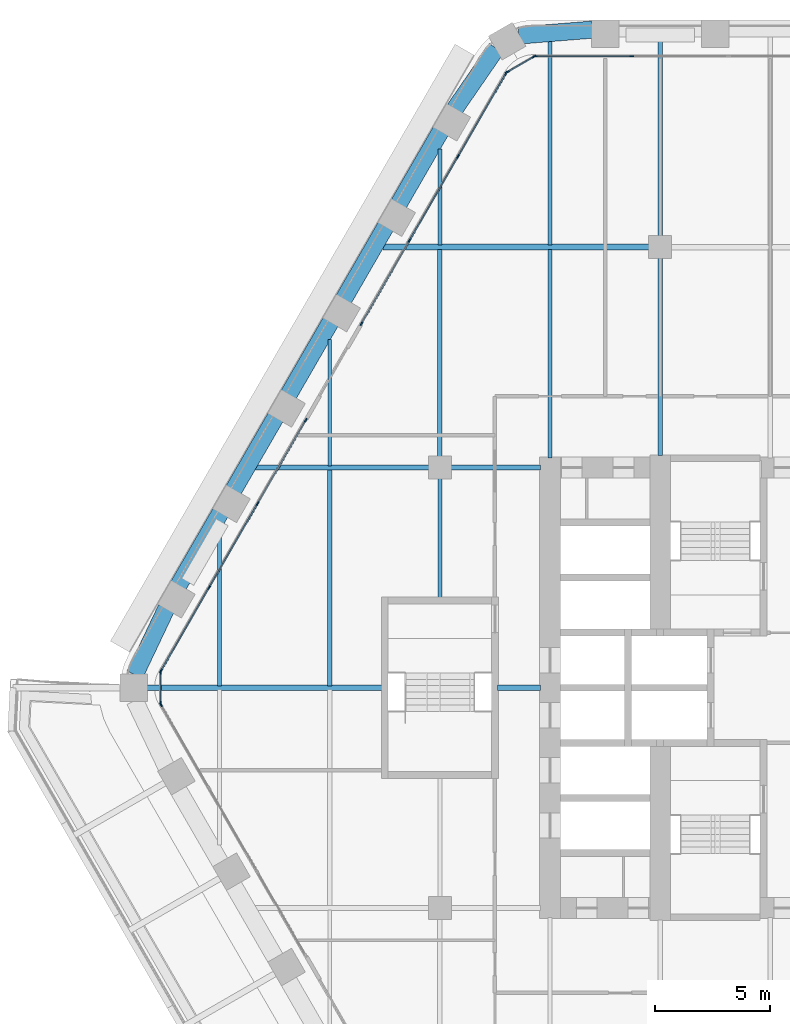
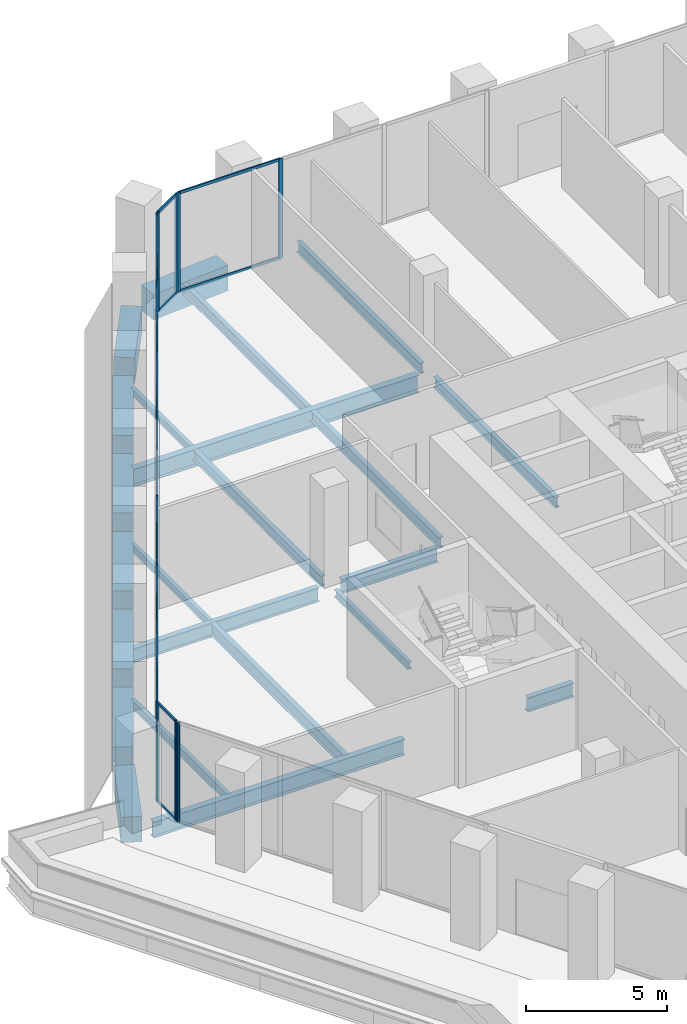
# One storey, part 7 of 27: 33 members, 23 beams, 6 elements without a shape of their own.
"""IFC4 building model written with IfcOpenShell, lengths in metres."""

from ifc_helpers import new_model, si_unit, direction, frame, origin, origin_2d, place, context, subcontext, project, spatial, rectangle, i_section, extrude, material, material_profile, profile_set, type_object, element, aggregate, save


model = new_model("IFC4")

# Units and contexts
model_context = context("Model", 3, precision=1e-05, world=origin(), true_north=direction((0.0, 1.0)))
body_context = subcontext(model_context, "Body", "Model", "MODEL_VIEW")
ifc_project = project(units=[si_unit("LENGTHUNIT", "METRE"), si_unit("AREAUNIT", "SQUARE_METRE"), si_unit("VOLUMEUNIT", "CUBIC_METRE"), si_unit("PLANEANGLEUNIT", "RADIAN"), si_unit("MASSUNIT", "GRAM", prefix="KILO")], contexts=[model_context])

# Site, building, storey
site_placement = place(None, origin())
site = spatial("IfcSite", under=ifc_project, at=site_placement, CompositionType="ELEMENT")
building_placement = place(site_placement, origin())
building = spatial("IfcBuilding", under=site, at=building_placement, Name="Kolab Exchange Tower", CompositionType="ELEMENT")
storey_placement = place(building_placement, frame((0.0, 0.0, 109.39990234375)))
storey = spatial("IfcBuildingStorey", under=building, at=storey_placement, Name="L21", CompositionType="ELEMENT", Elevation=109.39990234375)

# Beams
ifc_material_1 = material(Name="Steel S355", Category="steel")
ifc_material_profile_1 = material_profile(ifc_material_1, i_section(OverallWidth=0.1650390625, OverallDepth=0.31005859375, WebThickness=0.005859375, FlangeThickness=0.009765625, at=origin_2d()), Name="W310X39")
ifc_profile_set_1 = profile_set([ifc_material_profile_1], Name="Steel S355")
beam_type_1 = type_object("IfcBeamType", Name="FLOOR BEAM W310X39", PredefinedType="BEAM", material=ifc_profile_set_1)
beam_1_placement = place(storey_placement, frame((-24.0, 9.674072265625, -0.35498046875), z_axis=(0.0, 1.0, 0.0), x_axis=(-1.0, 0.0, 0.0)))
element("IfcBeam", 1, at=beam_1_placement, inside=storey, type_object=beam_type_1, Name="beam/L21/fr/005", PredefinedType="BEAM", context=body_context, shape_type="SweptSolid", body=[
    extrude(i_section(OverallWidth=0.1650390625, OverallDepth=0.31005859375, WebThickness=0.005859375, FlangeThickness=0.009765625, at=origin_2d()), origin(), (0.0, 0.0, 1.0), 5.49365234375),
])
beam_2_placement = place(storey_placement, frame((-19.199951171875, 3.909912109375, -0.35498046875), z_axis=(0.0, 1.0, 0.0), x_axis=(-1.0, 0.0, 0.0)))
element("IfcBeam", 2, at=beam_2_placement, inside=storey, type_object=beam_type_1, Name="beam/L21/fr/009", PredefinedType="BEAM", context=body_context, shape_type="SweptSolid", body=[
    extrude(i_section(OverallWidth=0.1650390625, OverallDepth=0.31005859375, WebThickness=0.005859375, FlangeThickness=0.009765625, at=origin_2d()), origin(), (0.0, 0.0, 1.0), 5.22998046875),
])
beam_3_placement = place(storey_placement, frame((-19.199951171875, 19.29345703125, -0.35498046875), z_axis=(0.0, 1.0, 0.0), x_axis=(-1.0, 0.0, 0.0)))
element("IfcBeam", 3, at=beam_3_placement, inside=storey, type_object=beam_type_1, Name="beam/L21/fr/011", PredefinedType="BEAM", context=body_context, shape_type="SweptSolid", body=[
    extrude(i_section(OverallWidth=0.1650390625, OverallDepth=0.31005859375, WebThickness=0.005859375, FlangeThickness=0.009765625, at=origin_2d()), origin(), (0.0, 0.0, 1.0), 4.18798828125),
])
ifc_material_profile_2 = material_profile(ifc_material_1, i_section(OverallWidth=0.1708984375, OverallDepth=0.35498046875, WebThickness=0.007080078125, FlangeThickness=0.01171875, at=origin_2d()), Name="W360X51")
ifc_profile_set_2 = profile_set([ifc_material_profile_2], Name="Steel S355")
beam_type_2 = type_object("IfcBeamType", Name="FLOOR BEAM W360X51", PredefinedType="BEAM", material=ifc_profile_set_2)
beam_4_placement = place(storey_placement, frame((-28.800048828125, 0.0869140625, -0.37744140625), z_axis=(0.0, 1.0, 0.0), x_axis=(-1.0, 0.0, 0.0)))
element("IfcBeam", 4, at=beam_4_placement, inside=storey, type_object=beam_type_2, Name="beam/L21/fr/001", PredefinedType="BEAM", context=body_context, shape_type="SweptSolid", body=[
    extrude(i_section(OverallWidth=0.1708984375, OverallDepth=0.35498046875, WebThickness=0.007080078125, FlangeThickness=0.01171875, at=origin_2d()), origin(), (0.0, 0.0, 1.0), 6.766845703125),
])
ifc_material_profile_3 = material_profile(ifc_material_1, i_section(OverallWidth=0.18994140625, OverallDepth=0.45703125, WebThickness=0.009033203125, FlangeThickness=0.014404296875, at=origin_2d()), Name="W460X74")
ifc_profile_set_3 = profile_set([ifc_material_profile_3], Name="Steel S355")
beam_type_3 = type_object("IfcBeamType", Name="FLOOR BEAM W460X74", PredefinedType="BEAM", material=ifc_profile_set_3)
beam_5_placement = place(storey_placement, frame((-19.199951171875, 10.06005859375, -0.428466796875), z_axis=(0.0, 1.0, 0.0), x_axis=(-1.0, 0.0, 0.0)))
element("IfcBeam", 5, at=beam_5_placement, inside=storey, type_object=beam_type_3, Name="beam/L21/fr/010", PredefinedType="BEAM", context=body_context, shape_type="SweptSolid", body=[
    extrude(i_section(OverallWidth=0.18994140625, OverallDepth=0.45703125, WebThickness=0.009033203125, FlangeThickness=0.014404296875, at=origin_2d()), origin(), (0.0, 0.0, 1.0), 9.04638671875),
])
beam_6_placement = place(storey_placement, frame((-14.39990234375, 10.010009765625, -0.428466796875), z_axis=(0.0, 1.0, 0.0), x_axis=(-1.0, 0.0, 0.0)))
element("IfcBeam", 6, at=beam_6_placement, inside=storey, type_object=beam_type_3, Name="beam/L21/fr/014", PredefinedType="BEAM", context=body_context, shape_type="SweptSolid", body=[
    extrude(i_section(OverallWidth=0.18994140625, OverallDepth=0.45703125, WebThickness=0.009033203125, FlangeThickness=0.014404296875, at=origin_2d()), origin(), (0.0, 0.0, 1.0), 9.096435546875),
])
beam_7_placement = place(storey_placement, frame((-14.39990234375, 19.29345703125, -0.428466796875), z_axis=(0.0, 1.0, 0.0), x_axis=(-1.0, 0.0, 0.0)))
element("IfcBeam", 7, at=beam_7_placement, inside=storey, type_object=beam_type_3, Name="beam/L21/fr/015", PredefinedType="BEAM", context=body_context, shape_type="SweptSolid", body=[
    extrude(i_section(OverallWidth=0.18994140625, OverallDepth=0.45703125, WebThickness=0.009033203125, FlangeThickness=0.014404296875, at=origin_2d()), origin(), (0.0, 0.0, 1.0), 8.901123046875),
])
beam_8_placement = place(storey_placement, frame((-9.60009765625, 10.110107421875, -0.428466796875), z_axis=(0.0, 1.0, 0.0), x_axis=(-1.0, 0.0, 0.0)))
element("IfcBeam", 8, at=beam_8_placement, inside=storey, type_object=beam_type_3, Name="beam/L21/fr/018", PredefinedType="BEAM", context=body_context, shape_type="SweptSolid", body=[
    extrude(i_section(OverallWidth=0.18994140625, OverallDepth=0.45703125, WebThickness=0.009033203125, FlangeThickness=0.014404296875, at=origin_2d()), origin(), (0.0, 0.0, 1.0), 8.6298828125),
])
beam_9_placement = place(storey_placement, frame((-9.60009765625, 19.659912109375, -0.428466796875), z_axis=(0.0, 1.0, 0.0), x_axis=(-1.0, 0.0, 0.0)))
element("IfcBeam", 9, at=beam_9_placement, inside=storey, type_object=beam_type_3, Name="beam/L21/fr/019", PredefinedType="BEAM", context=body_context, shape_type="SweptSolid", body=[
    extrude(i_section(OverallWidth=0.18994140625, OverallDepth=0.45703125, WebThickness=0.009033203125, FlangeThickness=0.014404296875, at=origin_2d()), origin(), (0.0, 0.0, 1.0), 8.728515625),
])
ifc_material_profile_4 = material_profile(ifc_material_1, i_section(OverallWidth=0.208984375, OverallDepth=0.532958984375, WebThickness=0.01025390625, FlangeThickness=0.015625, at=origin_2d()), Name="W530X92")
ifc_profile_set_4 = profile_set([ifc_material_profile_4], Name="Steel S355")
beam_type_4 = type_object("IfcBeamType", Name="FLOOR BEAM W530X92", PredefinedType="BEAM", material=ifc_profile_set_4)
beam_10_placement = place(storey_placement, frame((-24.0, 0.0869140625, -0.46630859375), z_axis=(0.0, 1.0, 0.0), x_axis=(-1.0, 0.0, 0.0)))
element("IfcBeam", 10, at=beam_10_placement, inside=storey, type_object=beam_type_4, Name="beam/L21/fr/004", PredefinedType="BEAM", context=body_context, shape_type="SweptSolid", body=[
    extrude(i_section(OverallWidth=0.208984375, OverallDepth=0.532958984375, WebThickness=0.01025390625, FlangeThickness=0.015625, at=origin_2d()), origin(), (0.0, 0.0, 1.0), 9.43896484375),
])
ifc_material_profile_5 = material_profile(ifc_material_1, i_section(OverallWidth=0.22802734375, OverallDepth=0.60791015625, WebThickness=0.01123046875, FlangeThickness=0.017333984375, at=origin_2d()), Name="W610X113")
ifc_profile_set_5 = profile_set([ifc_material_profile_5], Name="Steel S355")
beam_type_5 = type_object("IfcBeamType", Name="FLOOR GIRDER W610X113", PredefinedType="BEAM", material=ifc_profile_set_5)
beam_11_placement = place(storey_placement, frame((-27.2314453125, 9.60009765625, -0.50390625), z_axis=(1.0, 0.0, 0.0), x_axis=(0.0, 1.0, 0.0)))
element("IfcBeam", 11, at=beam_11_placement, inside=storey, type_object=beam_type_5, Name="beam/L21/gd/002", PredefinedType="BEAM", context=body_context, shape_type="SweptSolid", body=[
    extrude(i_section(OverallWidth=0.22802734375, OverallDepth=0.60791015625, WebThickness=0.01123046875, FlangeThickness=0.017333984375, at=origin_2d()), origin(), (0.0, 0.0, 1.0), 7.571533203125),
])
beam_12_placement = place(storey_placement, frame((-18.739990234375, 9.60009765625, -0.50390625), z_axis=(1.0, 0.0, 0.0), x_axis=(0.0, 1.0, 0.0)))
element("IfcBeam", 12, at=beam_12_placement, inside=storey, type_object=beam_type_5, Name="beam/L21/gd/006", PredefinedType="BEAM", context=body_context, shape_type="SweptSolid", body=[
    extrude(i_section(OverallWidth=0.22802734375, OverallDepth=0.60791015625, WebThickness=0.01123046875, FlangeThickness=0.017333984375, at=origin_2d()), origin(), (0.0, 0.0, 1.0), 3.929931640625),
])
beam_13_placement = place(storey_placement, frame((-16.68994140625, 0.0, -0.50390625), z_axis=(1.0, 0.0, 0.0), x_axis=(0.0, 1.0, 0.0)))
element("IfcBeam", 13, at=beam_13_placement, inside=storey, type_object=beam_type_5, Name="beam/L21/gd/007", PredefinedType="BEAM", context=body_context, shape_type="SweptSolid", body=[
    extrude(i_section(OverallWidth=0.22802734375, OverallDepth=0.60791015625, WebThickness=0.01123046875, FlangeThickness=0.017333984375, at=origin_2d()), origin(), (0.0, 0.0, 1.0), 1.8798828125),
])
ifc_material_profile_6 = material_profile(ifc_material_1, i_section(OverallWidth=0.25390625, OverallDepth=0.68408203125, WebThickness=0.012451171875, FlangeThickness=0.018798828125, at=origin_2d()), Name="W690X140")
ifc_profile_set_6 = profile_set([ifc_material_profile_6], Name="Steel S355")
beam_type_6 = type_object("IfcBeamType", Name="FLOOR GIRDER W690X140", PredefinedType="BEAM", material=ifc_profile_set_6)
beam_14_placement = place(storey_placement, frame((-31.975830078125, 0.0, -0.5419921875), z_axis=(1.0, 0.0, 0.0), x_axis=(0.0, 1.0, 0.0)))
element("IfcBeam", 14, at=beam_14_placement, inside=storey, type_object=beam_type_6, Name="beam/L21/gd/000", PredefinedType="BEAM", context=body_context, shape_type="SweptSolid", body=[
    extrude(i_section(OverallWidth=0.25390625, OverallDepth=0.68408203125, WebThickness=0.012451171875, FlangeThickness=0.018798828125, at=origin_2d()), origin(), (0.0, 0.0, 1.0), 10.265869140625),
])
ifc_material_profile_7 = material_profile(ifc_material_1, i_section(OverallWidth=0.26708984375, OverallDepth=0.761962890625, WebThickness=0.014404296875, FlangeThickness=0.021484375, at=origin_2d()), Name="W760X173")
ifc_profile_set_7 = profile_set([ifc_material_profile_7], Name="Steel S355")
beam_type_7 = type_object("IfcBeamType", Name="FLOOR GIRDER W760X173", PredefinedType="BEAM", material=ifc_profile_set_7)
beam_15_placement = place(storey_placement, frame((-21.688720703125, 19.199951171875, -0.580810546875), z_axis=(1.0, 0.0, 0.0), x_axis=(0.0, 1.0, 0.0)))
element("IfcBeam", 15, at=beam_15_placement, inside=storey, type_object=beam_type_7, Name="beam/L21/gd/004", PredefinedType="BEAM", context=body_context, shape_type="SweptSolid", body=[
    extrude(i_section(OverallWidth=0.26708984375, OverallDepth=0.761962890625, WebThickness=0.014404296875, FlangeThickness=0.021484375, at=origin_2d()), origin(), (0.0, 0.0, 1.0), 11.628662109375),
])
ifc_material_2 = material(Name="Concrete C70/85", Category="concrete")
ifc_material_profile_8 = material_profile(ifc_material_2, rectangle(XDim=0.75, YDim=1.10009765625, at=origin_2d()), Name="RC750X1100")
ifc_profile_set_8 = profile_set([ifc_material_profile_8], Name="Concrete C70/85")
beam_type_8 = type_object("IfcBeamType", Name="SPANDREL BEAM 750X1100 C70/85", PredefinedType="BEAM", material=ifc_profile_set_8)
beam_16_placement = place(storey_placement, frame((-15.75830078125, 28.421630859375, -0.75), z_axis=(0.996791038408, 0.080047646748, 0.0), x_axis=(-0.080047646748, 0.996791038408, 0.0)))
element("IfcBeam", 16, at=beam_16_placement, inside=storey, type_object=beam_type_8, Name="beam/L21/sp/F1-01", PredefinedType="BEAM", context=body_context, shape_type="SweptSolid", body=[
    extrude(rectangle(XDim=0.75, YDim=1.10009765625, at=origin_2d()), origin(), (0.0, 0.0, 1.0), 3.20849609375),
])
beam_17_placement = place(storey_placement, frame((-32.492919921875, 0.56396484375, -0.75), z_axis=(0.429041292193, 0.903284877319, 0.0), x_axis=(-0.903284877319, 0.429041292193, 0.0)))
element("IfcBeam", 17, at=beam_17_placement, inside=storey, type_object=beam_type_8, Name="beam/L21/sp/F6-01", PredefinedType="BEAM", context=body_context, shape_type="SweptSolid", body=[
    extrude(rectangle(XDim=0.75, YDim=1.10009765625, at=origin_2d()), origin(), (0.0, 0.0, 1.0), 3.208251953125),
])
for number, where, z_axis, x_axis, name in (
    (18, (-30.59521484375, 4.454345703125, -0.75), (0.500013413428, 0.866017659399, 0.0), (-0.866017659399, 0.500013413428, 0.0), "beam/L21/sp/F6-02"),
    (19, (-28.1953125, 8.611328125, -0.75), (0.500013413428, 0.866017659399, 0.0), (-0.866017659399, 0.500013413428, 0.0), "beam/L21/sp/F6-03"),
):
    element("IfcBeam", number, at=place(storey_placement, frame(where, z_axis=z_axis, x_axis=x_axis)), inside=storey, type_object=beam_type_8, Name=name, PredefinedType="BEAM", context=body_context, shape_type="SweptSolid", body=[
        extrude(rectangle(XDim=0.75, YDim=1.10009765625, at=origin_2d()), origin(), (0.0, 0.0, 1.0), 3.68017578125),
    ])
beam_18_placement = place(storey_placement, frame((-25.795166015625, 12.768310546875, -0.75), z_axis=(0.499963655964, 0.866046386007, 0.0), x_axis=(-0.866046386007, 0.499963655964, 0.0)))
element("IfcBeam", 20, at=beam_18_placement, inside=storey, type_object=beam_type_8, Name="beam/L21/sp/F6-04", PredefinedType="BEAM", context=body_context, shape_type="SweptSolid", body=[
    extrude(rectangle(XDim=0.75, YDim=1.10009765625, at=origin_2d()), origin(), (0.0, 0.0, 1.0), 3.679931640625),
])
for number, where, z_axis, x_axis, name in (
    (21, (-23.395263671875, 16.925048828125, -0.75), (0.500013413428, 0.866017659399, 0.0), (-0.866017659399, 0.500013413428, 0.0), "beam/L21/sp/F6-05"),
    (22, (-20.995361328125, 21.08203125, -0.75), (0.500013413428, 0.866017659399, 0.0), (-0.866017659399, 0.500013413428, 0.0), "beam/L21/sp/F6-06"),
):
    element("IfcBeam", number, at=place(storey_placement, frame(where, z_axis=z_axis, x_axis=x_axis)), inside=storey, type_object=beam_type_8, Name=name, PredefinedType="BEAM", context=body_context, shape_type="SweptSolid", body=[
        extrude(rectangle(XDim=0.75, YDim=1.10009765625, at=origin_2d()), origin(), (0.0, 0.0, 1.0), 3.68017578125),
    ])
beam_19_placement = place(storey_placement, frame((-18.55615234375, 25.216552734375, -0.75), z_axis=(0.567661826262, 0.823261836237, 0.0), x_axis=(-0.823261836237, 0.567661826262, 0.0)))
element("IfcBeam", 23, at=beam_19_placement, inside=storey, type_object=beam_type_8, Name="beam/L21/sp/F6-07", PredefinedType="BEAM", context=body_context, shape_type="SweptSolid", body=[
    extrude(rectangle(XDim=0.75, YDim=1.10009765625, at=origin_2d()), origin(), (0.0, 0.0, 1.0), 3.20849609375),
])

# Curtain wall, members
ifc_material_3 = material(Name="Aluminium EN AW-6063 T6", Category="aluminium")
curtain_wall_type = type_object("IfcCurtainWallType", Name="UNITISED LOWER MID ZONE CURTAIN WALL", PredefinedType="NOTDEFINED", material=ifc_material_3)
curtain_wall_1_placement = place(storey_placement, origin())
curtain_wall_1 = element("IfcCurtainWall", 24, at=curtain_wall_1_placement, inside=storey, type_object=curtain_wall_type, Name="cw/L21/F1-1", PredefinedType="NOTDEFINED")
ifc_material_profile_9 = material_profile(ifc_material_3, rectangle(XDim=0.06005859375, YDim=0.179931640625, at=origin_2d()), Name="RECT 60X180")
ifc_profile_set_9 = profile_set([ifc_material_profile_9], Name="Aluminium EN AW-6063 T6")
member_type_1 = type_object("IfcMemberType", Name="UNITISED LOWER MID ZONE MULLION 60 X 180", PredefinedType="MULLION", material=ifc_profile_set_9)
member_1_placement = place(storey_placement, frame((-15.037841796875, 27.5185546875, 0.0), z_axis=(0.0, 0.0, 1.0), x_axis=(0.0, 1.0, 0.0)))
member_1 = element("IfcMember", 25, at=member_1_placement, type_object=member_type_1, Name="CW2 mullion 1", PredefinedType="MULLION", context=body_context, shape_type="SweptSolid", body=[
    extrude(rectangle(XDim=0.06005859375, YDim=0.179931640625, at=origin_2d()), origin(), (0.0, 0.0, 1.0), 4.300048828125),
])
member_2_placement = place(storey_placement, frame((-10.84521484375, 27.5185546875, 0.0), z_axis=(0.0, 0.0, 1.0), x_axis=(0.0, 1.0, 0.0)))
member_2 = element("IfcMember", 26, at=member_2_placement, type_object=member_type_1, Name="CW2 mullion 2", PredefinedType="MULLION", context=body_context, shape_type="SweptSolid", body=[
    extrude(rectangle(XDim=0.06005859375, YDim=0.179931640625, at=origin_2d()), origin(), (0.0, 0.0, 1.0), 4.300048828125),
])

# Curtain wall, member
curtain_wall_2_placement = place(storey_placement, origin())
curtain_wall_2 = element("IfcCurtainWall", 27, at=curtain_wall_2_placement, inside=storey, type_object=curtain_wall_type, Name="cw/L21/F5-2", PredefinedType="NOTDEFINED")
member_3_placement = place(storey_placement, frame((-31.3505859375, -0.736083984375, 0.0), z_axis=(0.0, 0.0, 1.0), x_axis=(-0.866025427826, -0.499999958358, 0.0)))
member_3 = element("IfcMember", 28, at=member_3_placement, type_object=member_type_1, Name="CW2 mullion 4", PredefinedType="MULLION", context=body_context, shape_type="SweptSolid", body=[
    extrude(rectangle(XDim=0.06005859375, YDim=0.179931640625, at=origin_2d()), origin(), (0.0, 0.0, 1.0), 4.300048828125),
])
aggregate(curtain_wall_2, [member_3])

# Curtain wall, members
curtain_wall_3_placement = place(storey_placement, origin())
curtain_wall_3 = element("IfcCurtainWall", 29, at=curtain_wall_3_placement, inside=storey, type_object=curtain_wall_type, Name="cw/L21/F6-1", PredefinedType="NOTDEFINED")
member_4_placement = place(storey_placement, frame((-31.3505859375, 0.736083984375, 0.0), z_axis=(0.0, 0.0, 1.0), x_axis=(-0.866025427826, 0.499999958358, 0.0)))
member_4 = element("IfcMember", 30, at=member_4_placement, type_object=member_type_1, Name="CW2 mullion 1", PredefinedType="MULLION", context=body_context, shape_type="SweptSolid", body=[
    extrude(rectangle(XDim=0.06005859375, YDim=0.179931640625, at=origin_2d()), origin(), (0.0, 0.0, 1.0), 4.300048828125),
])
member_5_placement = place(storey_placement, frame((-29.25439453125, 4.366943359375, 0.0), z_axis=(0.0, 0.0, 1.0), x_axis=(-0.866025427826, 0.499999958358, 0.0)))
member_5 = element("IfcMember", 31, at=member_5_placement, type_object=member_type_1, Name="CW2 mullion 2", PredefinedType="MULLION", context=body_context, shape_type="SweptSolid", body=[
    extrude(rectangle(XDim=0.06005859375, YDim=0.179931640625, at=origin_2d()), origin(), (0.0, 0.0, 1.0), 4.300048828125),
])
member_6_placement = place(storey_placement, frame((-27.14306640625, 8.02392578125, 0.0), z_axis=(0.0, 0.0, 1.0), x_axis=(-0.866025427826, 0.499999958358, 0.0)))
member_6 = element("IfcMember", 32, at=member_6_placement, type_object=member_type_1, Name="CW2 mullion 3", PredefinedType="MULLION", context=body_context, shape_type="SweptSolid", body=[
    extrude(rectangle(XDim=0.06005859375, YDim=0.179931640625, at=origin_2d()), origin(), (0.0, 0.0, 1.0), 4.300048828125),
])
member_7_placement = place(storey_placement, frame((-25.046630859375, 11.65478515625, 0.0), z_axis=(0.0, 0.0, 1.0), x_axis=(-0.866025427826, 0.499999958358, 0.0)))
member_7 = element("IfcMember", 33, at=member_7_placement, type_object=member_type_1, Name="CW2 mullion 4", PredefinedType="MULLION", context=body_context, shape_type="SweptSolid", body=[
    extrude(rectangle(XDim=0.06005859375, YDim=0.179931640625, at=origin_2d()), origin(), (0.0, 0.0, 1.0), 4.300048828125),
])

curtain_wall_4_placement = place(storey_placement, origin())
curtain_wall_4 = element("IfcCurtainWall", 34, at=curtain_wall_4_placement, inside=storey, type_object=curtain_wall_type, Name="cw/L21/F6-2", PredefinedType="NOTDEFINED")
member_8_placement = place(storey_placement, frame((-22.61669921875, 15.86376953125, 0.0), z_axis=(0.0, 0.0, 1.0), x_axis=(-0.866025393644, 0.500000017564, 0.0)))
member_8 = element("IfcMember", 35, at=member_8_placement, type_object=member_type_1, Name="CW2 mullion 1", PredefinedType="MULLION", context=body_context, shape_type="SweptSolid", body=[
    extrude(rectangle(XDim=0.06005859375, YDim=0.179931640625, at=origin_2d()), origin(), (0.0, 0.0, 1.0), 4.300048828125),
])
member_9_placement = place(storey_placement, frame((-20.520263671875, 19.49462890625, 0.0), z_axis=(0.0, 0.0, 1.0), x_axis=(-0.866025393644, 0.500000017564, 0.0)))
member_9 = element("IfcMember", 36, at=member_9_placement, type_object=member_type_1, Name="CW2 mullion 2", PredefinedType="MULLION", context=body_context, shape_type="SweptSolid", body=[
    extrude(rectangle(XDim=0.06005859375, YDim=0.179931640625, at=origin_2d()), origin(), (0.0, 0.0, 1.0), 4.300048828125),
])
member_10_placement = place(storey_placement, frame((-18.408935546875, 23.151611328125, 0.0), z_axis=(0.0, 0.0, 1.0), x_axis=(-0.866025393644, 0.500000017564, 0.0)))
member_10 = element("IfcMember", 37, at=member_10_placement, type_object=member_type_1, Name="CW2 mullion 3", PredefinedType="MULLION", context=body_context, shape_type="SweptSolid", body=[
    extrude(rectangle(XDim=0.06005859375, YDim=0.179931640625, at=origin_2d()), origin(), (0.0, 0.0, 1.0), 4.300048828125),
])
member_11_placement = place(storey_placement, frame((-16.312744140625, 26.782470703125, 0.0), z_axis=(0.0, 0.0, 1.0), x_axis=(-0.866025393644, 0.500000017564, 0.0)))
member_11 = element("IfcMember", 38, at=member_11_placement, type_object=member_type_1, Name="CW2 mullion 4", PredefinedType="MULLION", context=body_context, shape_type="SweptSolid", body=[
    extrude(rectangle(XDim=0.06005859375, YDim=0.179931640625, at=origin_2d()), origin(), (0.0, 0.0, 1.0), 4.300048828125),
])

curtain_wall_5_placement = place(storey_placement, origin())
curtain_wall_5 = element("IfcCurtainWall", 39, at=curtain_wall_5_placement, inside=storey, type_object=curtain_wall_type, Name="cw/L21/F5F6-corner", PredefinedType="NOTDEFINED")
member_12_placement = place(storey_placement, frame((-31.36572265625, -0.679931640625, 0.0), z_axis=(0.0, 0.0, 1.0), x_axis=(-1.0, 0.0, 0.0)))
member_12 = element("IfcMember", 40, at=member_12_placement, type_object=member_type_1, Name="CW2 mullion 1", PredefinedType="MULLION", context=body_context, shape_type="SweptSolid", body=[
    extrude(rectangle(XDim=0.06005859375, YDim=0.179931640625, at=origin_2d()), origin(), (0.0, 0.0, 1.0), 4.300048828125),
])
member_13_placement = place(storey_placement, frame((-31.36572265625, 0.679931640625, 0.0), z_axis=(0.0, 0.0, 1.0), x_axis=(-1.0, 0.0, 0.0)))
member_13 = element("IfcMember", 41, at=member_13_placement, type_object=member_type_1, Name="CW2 mullion 2", PredefinedType="MULLION", context=body_context, shape_type="SweptSolid", body=[
    extrude(rectangle(XDim=0.06005859375, YDim=0.179931640625, at=origin_2d()), origin(), (0.0, 0.0, 1.0), 4.300048828125),
])

curtain_wall_6_placement = place(storey_placement, origin())
curtain_wall_6 = element("IfcCurtainWall", 42, at=curtain_wall_6_placement, inside=storey, type_object=curtain_wall_type, Name="cw/L21/F6F1-corner", PredefinedType="NOTDEFINED")
member_14_placement = place(storey_placement, frame((-16.271728515625, 26.823486328125, 0.0), z_axis=(0.0, 0.0, 1.0), x_axis=(-0.50000002237, 0.866025390869, 0.0)))
member_14 = element("IfcMember", 43, at=member_14_placement, type_object=member_type_1, Name="CW2 mullion 1", PredefinedType="MULLION", context=body_context, shape_type="SweptSolid", body=[
    extrude(rectangle(XDim=0.06005859375, YDim=0.179931640625, at=origin_2d()), origin(), (0.0, 0.0, 1.0), 4.300048828125),
])
member_15_placement = place(storey_placement, frame((-15.093994140625, 27.50341796875, 0.0), z_axis=(0.0, 0.0, 1.0), x_axis=(-0.50000002237, 0.866025390869, 0.0)))
member_15 = element("IfcMember", 44, at=member_15_placement, type_object=member_type_1, Name="CW2 mullion 2", PredefinedType="MULLION", context=body_context, shape_type="SweptSolid", body=[
    extrude(rectangle(XDim=0.06005859375, YDim=0.179931640625, at=origin_2d()), origin(), (0.0, 0.0, 1.0), 4.300048828125),
])

# Member
ifc_material_profile_10 = material_profile(ifc_material_3, rectangle(XDim=0.06005859375, YDim=0.1201171875, at=origin_2d()), Name="RECT 60X120")
ifc_profile_set_10 = profile_set([ifc_material_profile_10], Name="Aluminium EN AW-6063 T6")
member_type_2 = type_object("IfcMemberType", Name="UNITISED LOWER MID ZONE TRANSOM 60 X 120", PredefinedType="USERDEFINED", material=ifc_profile_set_10)
member_16_placement = place(storey_placement, frame((-15.008056640625, 27.5185546875, 0.030029296875), z_axis=(1.0, 0.0, 0.0), x_axis=(0.0, 1.0, 0.0)))
member_16 = element("IfcMember", 45, at=member_16_placement, type_object=member_type_2, Name="CW2 transom 1.1", ObjectType="TRANSOM", PredefinedType="USERDEFINED", context=body_context, shape_type="SweptSolid", body=[
    extrude(rectangle(XDim=0.06005859375, YDim=0.1201171875, at=origin_2d()), origin(), (0.0, 0.0, 1.0), 4.1328125),
])

member_17_placement = place(storey_placement, frame((-15.008056640625, 27.5185546875, 4.27001953125), z_axis=(1.0, 0.0, 0.0), x_axis=(0.0, 1.0, 0.0)))
member_17 = element("IfcMember", 46, at=member_17_placement, type_object=member_type_2, Name="CW2 transom 1.2", ObjectType="TRANSOM", PredefinedType="USERDEFINED", context=body_context, shape_type="SweptSolid", body=[
    extrude(rectangle(XDim=0.06005859375, YDim=0.1201171875, at=origin_2d()), origin(), (0.0, 0.0, 1.0), 4.1328125),
])

aggregate(curtain_wall_1, [member_1, member_2, member_16, member_17])

member_18_placement = place(storey_placement, frame((-31.335693359375, 0.761962890625, 0.030029296875), z_axis=(0.500027577057, 0.866009481578, 0.0), x_axis=(-0.866009481578, 0.500027577057, 0.0)))
member_18 = element("IfcMember", 47, at=member_18_placement, type_object=member_type_2, Name="CW2 transom 1.1", ObjectType="TRANSOM", PredefinedType="USERDEFINED", context=body_context, shape_type="SweptSolid", body=[
    extrude(rectangle(XDim=0.06005859375, YDim=0.1201171875, at=origin_2d()), origin(), (0.0, 0.0, 1.0), 4.132568359375),
])

member_19_placement = place(storey_placement, frame((-31.335693359375, 0.761962890625, 4.27001953125), z_axis=(0.500027577057, 0.866009481578, 0.0), x_axis=(-0.866009481578, 0.500027577057, 0.0)))
member_19 = element("IfcMember", 48, at=member_19_placement, type_object=member_type_2, Name="CW2 transom 1.2", ObjectType="TRANSOM", PredefinedType="USERDEFINED", context=body_context, shape_type="SweptSolid", body=[
    extrude(rectangle(XDim=0.06005859375, YDim=0.1201171875, at=origin_2d()), origin(), (0.0, 0.0, 1.0), 4.132568359375),
])

member_20_placement = place(storey_placement, frame((-29.2392578125, 4.392822265625, 0.030029296875), z_axis=(0.49999322259, 0.866029316688, 0.0), x_axis=(-0.866029316688, 0.49999322259, 0.0)))
member_20 = element("IfcMember", 49, at=member_20_placement, type_object=member_type_2, Name="CW2 transom 2.1", ObjectType="TRANSOM", PredefinedType="USERDEFINED", context=body_context, shape_type="SweptSolid", body=[
    extrude(rectangle(XDim=0.06005859375, YDim=0.1201171875, at=origin_2d()), origin(), (0.0, 0.0, 1.0), 4.16259765625),
])

member_21_placement = place(storey_placement, frame((-29.2392578125, 4.392822265625, 4.27001953125), z_axis=(0.49999322259, 0.866029316688, 0.0), x_axis=(-0.866029316688, 0.49999322259, 0.0)))
member_21 = element("IfcMember", 50, at=member_21_placement, type_object=member_type_2, Name="CW2 transom 2.2", ObjectType="TRANSOM", PredefinedType="USERDEFINED", context=body_context, shape_type="SweptSolid", body=[
    extrude(rectangle(XDim=0.06005859375, YDim=0.1201171875, at=origin_2d()), origin(), (0.0, 0.0, 1.0), 4.16259765625),
])

member_22_placement = place(storey_placement, frame((-27.1279296875, 8.0498046875, 0.030029296875), z_axis=(0.499957688808, 0.866049830784, 0.0), x_axis=(-0.866049830784, 0.499957688808, 0.0)))
member_22 = element("IfcMember", 51, at=member_22_placement, type_object=member_type_2, Name="CW2 transom 3.1", ObjectType="TRANSOM", PredefinedType="USERDEFINED", context=body_context, shape_type="SweptSolid", body=[
    extrude(rectangle(XDim=0.06005859375, YDim=0.1201171875, at=origin_2d()), origin(), (0.0, 0.0, 1.0), 4.132568359375),
])

member_23_placement = place(storey_placement, frame((-27.1279296875, 8.0498046875, 4.27001953125), z_axis=(0.499957688808, 0.866049830784, 0.0), x_axis=(-0.866049830784, 0.499957688808, 0.0)))
member_23 = element("IfcMember", 52, at=member_23_placement, type_object=member_type_2, Name="CW2 transom 3.2", ObjectType="TRANSOM", PredefinedType="USERDEFINED", context=body_context, shape_type="SweptSolid", body=[
    extrude(rectangle(XDim=0.06005859375, YDim=0.1201171875, at=origin_2d()), origin(), (0.0, 0.0, 1.0), 4.132568359375),
])

aggregate(curtain_wall_3, [member_4, member_5, member_6, member_7, member_18, member_19, member_20, member_21, member_22, member_23])

member_24_placement = place(storey_placement, frame((-22.6015625, 15.8896484375, 0.030029296875), z_axis=(0.499957688808, 0.866049830784, 0.0), x_axis=(-0.866049830784, 0.499957688808, 0.0)))
member_24 = element("IfcMember", 53, at=member_24_placement, type_object=member_type_2, Name="CW2 transom 1.1", ObjectType="TRANSOM", PredefinedType="USERDEFINED", context=body_context, shape_type="SweptSolid", body=[
    extrude(rectangle(XDim=0.06005859375, YDim=0.1201171875, at=origin_2d()), origin(), (0.0, 0.0, 1.0), 4.132568359375),
])

member_25_placement = place(storey_placement, frame((-22.6015625, 15.8896484375, 4.27001953125), z_axis=(0.499957688808, 0.866049830784, 0.0), x_axis=(-0.866049830784, 0.499957688808, 0.0)))
member_25 = element("IfcMember", 54, at=member_25_placement, type_object=member_type_2, Name="CW2 transom 1.2", ObjectType="TRANSOM", PredefinedType="USERDEFINED", context=body_context, shape_type="SweptSolid", body=[
    extrude(rectangle(XDim=0.06005859375, YDim=0.1201171875, at=origin_2d()), origin(), (0.0, 0.0, 1.0), 4.132568359375),
])

member_26_placement = place(storey_placement, frame((-20.50537109375, 19.5205078125, 0.030029296875), z_axis=(0.49999322259, 0.866029316688, 0.0), x_axis=(-0.866029316688, 0.49999322259, 0.0)))
member_26 = element("IfcMember", 55, at=member_26_placement, type_object=member_type_2, Name="CW2 transom 2.1", ObjectType="TRANSOM", PredefinedType="USERDEFINED", context=body_context, shape_type="SweptSolid", body=[
    extrude(rectangle(XDim=0.06005859375, YDim=0.1201171875, at=origin_2d()), origin(), (0.0, 0.0, 1.0), 4.16259765625),
])

member_27_placement = place(storey_placement, frame((-20.50537109375, 19.5205078125, 4.27001953125), z_axis=(0.49999322259, 0.866029316688, 0.0), x_axis=(-0.866029316688, 0.49999322259, 0.0)))
member_27 = element("IfcMember", 56, at=member_27_placement, type_object=member_type_2, Name="CW2 transom 2.2", ObjectType="TRANSOM", PredefinedType="USERDEFINED", context=body_context, shape_type="SweptSolid", body=[
    extrude(rectangle(XDim=0.06005859375, YDim=0.1201171875, at=origin_2d()), origin(), (0.0, 0.0, 1.0), 4.16259765625),
])

member_28_placement = place(storey_placement, frame((-18.39404296875, 23.177490234375, 0.030029296875), z_axis=(0.500001996123, 0.866024251319, 0.0), x_axis=(-0.866024251319, 0.500001996123, 0.0)))
member_28 = element("IfcMember", 57, at=member_28_placement, type_object=member_type_2, Name="CW2 transom 3.1", ObjectType="TRANSOM", PredefinedType="USERDEFINED", context=body_context, shape_type="SweptSolid", body=[
    extrude(rectangle(XDim=0.06005859375, YDim=0.1201171875, at=origin_2d()), origin(), (0.0, 0.0, 1.0), 4.1328125),
])

member_29_placement = place(storey_placement, frame((-18.39404296875, 23.177490234375, 4.27001953125), z_axis=(0.500001996123, 0.866024251319, 0.0), x_axis=(-0.866024251319, 0.500001996123, 0.0)))
member_29 = element("IfcMember", 58, at=member_29_placement, type_object=member_type_2, Name="CW2 transom 3.2", ObjectType="TRANSOM", PredefinedType="USERDEFINED", context=body_context, shape_type="SweptSolid", body=[
    extrude(rectangle(XDim=0.06005859375, YDim=0.1201171875, at=origin_2d()), origin(), (0.0, 0.0, 1.0), 4.1328125),
])

aggregate(curtain_wall_4, [member_8, member_9, member_10, member_11, member_24, member_25, member_26, member_27, member_28, member_29])

member_30_placement = place(storey_placement, frame((-31.36572265625, -0.64990234375, 0.030029296875), z_axis=(0.0, 1.0, 0.0), x_axis=(-1.0, 0.0, 0.0)))
member_30 = element("IfcMember", 59, at=member_30_placement, type_object=member_type_2, Name="CW2 transom 1.1", ObjectType="TRANSOM", PredefinedType="USERDEFINED", context=body_context, shape_type="SweptSolid", body=[
    extrude(rectangle(XDim=0.06005859375, YDim=0.1201171875, at=origin_2d()), origin(), (0.0, 0.0, 1.0), 1.2998046875),
])

member_31_placement = place(storey_placement, frame((-31.36572265625, -0.64990234375, 4.27001953125), z_axis=(0.0, 1.0, 0.0), x_axis=(-1.0, 0.0, 0.0)))
member_31 = element("IfcMember", 60, at=member_31_placement, type_object=member_type_2, Name="CW2 transom 1.2", ObjectType="TRANSOM", PredefinedType="USERDEFINED", context=body_context, shape_type="SweptSolid", body=[
    extrude(rectangle(XDim=0.06005859375, YDim=0.1201171875, at=origin_2d()), origin(), (0.0, 0.0, 1.0), 1.2998046875),
])

aggregate(curtain_wall_5, [member_12, member_13, member_30, member_31])

member_32_placement = place(storey_placement, frame((-16.245849609375, 26.83837890625, 0.030029296875), z_axis=(0.866004217611, 0.500036693733, 0.0), x_axis=(-0.500036693733, 0.866004217611, 0.0)))
member_32 = element("IfcMember", 61, at=member_32_placement, type_object=member_type_2, Name="CW2 transom 1.1", ObjectType="TRANSOM", PredefinedType="USERDEFINED", context=body_context, shape_type="SweptSolid", body=[
    extrude(rectangle(XDim=0.06005859375, YDim=0.1201171875, at=origin_2d()), origin(), (0.0, 0.0, 1.0), 1.30029296875),
])

member_33_placement = place(storey_placement, frame((-16.245849609375, 26.83837890625, 4.27001953125), z_axis=(0.866004217611, 0.500036693733, 0.0), x_axis=(-0.500036693733, 0.866004217611, 0.0)))
member_33 = element("IfcMember", 62, at=member_33_placement, type_object=member_type_2, Name="CW2 transom 1.2", ObjectType="TRANSOM", PredefinedType="USERDEFINED", context=body_context, shape_type="SweptSolid", body=[
    extrude(rectangle(XDim=0.06005859375, YDim=0.1201171875, at=origin_2d()), origin(), (0.0, 0.0, 1.0), 1.30029296875),
])

aggregate(curtain_wall_6, [member_14, member_15, member_32, member_33])

save(model, "model.ifc")
